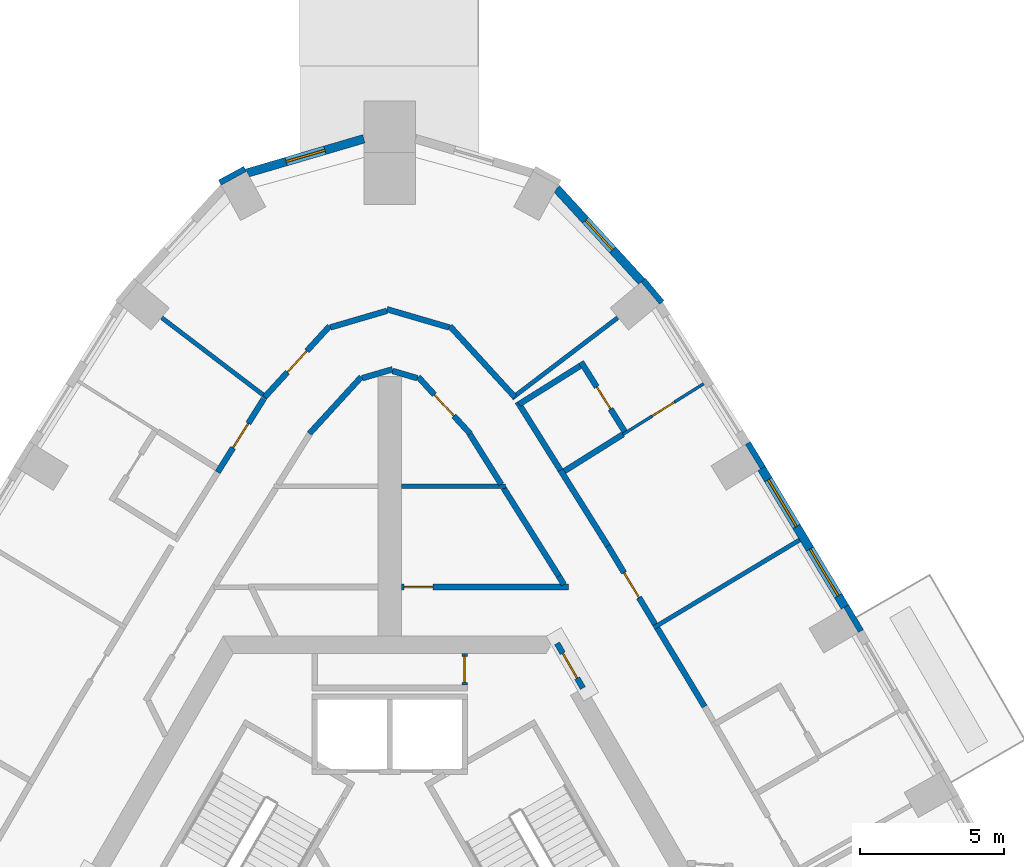
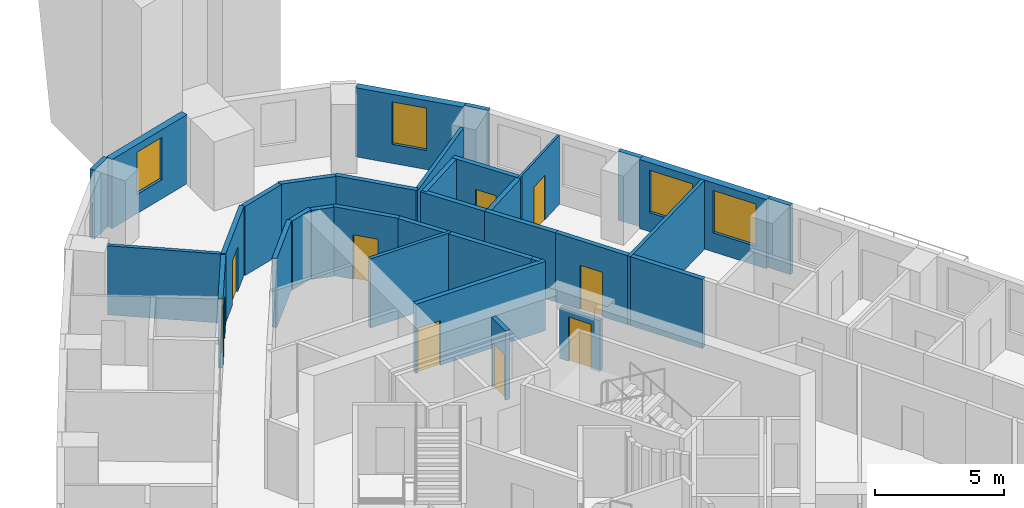
# One storey, part 9 of 13: 34 walls, 9 doors, 4 windows, 13 openings.
"""IFC4 building model written with IfcOpenShell, lengths in metres."""

from ifc_helpers import new_model, si_unit, direction, frame, frame_2d, origin, place, context, subcontext, project, spatial, rectangle, extrude, material, layer, layer_set, type_object, element, fill, save


model = new_model("IFC4")

# Units and contexts
model_context = context("Model", 3, precision=1e-05, world=origin(), true_north=direction((0.0, 1.0)))
body_context = subcontext(model_context, "Body", "Model", "MODEL_VIEW")
ifc_project = project(units=[si_unit("LENGTHUNIT", "METRE"), si_unit("AREAUNIT", "SQUARE_METRE"), si_unit("VOLUMEUNIT", "CUBIC_METRE"), si_unit("PLANEANGLEUNIT", "RADIAN"), si_unit("MASSUNIT", "GRAM", prefix="KILO")], contexts=[model_context])

# Site, building, storey
site_placement = place(None, origin())
site = spatial("IfcSite", under=ifc_project, at=site_placement, CompositionType="ELEMENT")
building_placement = place(site_placement, origin())
building = spatial("IfcBuilding", under=site, at=building_placement, Name="Entoto Arch Interchange Tower", CompositionType="ELEMENT")
storey_placement = place(building_placement, frame((0.0, 0.0, 263.0)))
storey = spatial("IfcBuildingStorey", under=building, at=storey_placement, Name="L60", CompositionType="ELEMENT", Elevation=263.0)

# Wall, opening, door
ifc_material_1 = material(Name="Reinforced concrete C40/50", Category="concrete")
ifc_layer_1 = layer(ifc_material_1, 0.199951171875)
ifc_layer_set_1 = layer_set([ifc_layer_1], Name="Reinforced concrete C40/50")
wall_type_1 = type_object("IfcWallType", Name="CORE GAP INFILL WALL", PredefinedType="PARTITIONING", material=ifc_layer_set_1)
wall_1_placement = place(storey_placement, frame((6.698974609375, 10.697021484375, 0.0), z_axis=(0.0, 0.0, 1.0), x_axis=(-0.499914839587, 0.866074565589, 0.0)))
wall_1 = element("IfcWall", 1, at=wall_1_placement, inside=storey, type_object=wall_type_1, Name="wall:L60:gap2", PredefinedType="PARTITIONING", context=body_context, shape_type="SweptSolid", body=[
    extrude(rectangle(XDim=1.794189453125, YDim=0.199951171875, at=frame_2d((0.89697265625, 0.0))), origin(), (0.0, 0.0, 1.0), 2.39990234375),
])
opening_1_placement = place(wall_1_placement, frame((0.39697265625, 0.0, 0.0)))
opening_1 = element("IfcOpeningElement", 2, at=opening_1_placement, cuts=wall_1, Name="Opening L60-D92", PredefinedType="OPENING", context=body_context, shape_type="SweptSolid", body=[
    extrude(rectangle(XDim=1.0, YDim=2.10009765625, at=frame_2d((0.5, 1.050048828125))), frame((0.0, 0.10986328125, 0.0), z_axis=(0.0, -1.0, 0.0), x_axis=(1.0, 0.0, 0.0)), (0.0, 0.0, 1.0), 0.219970703125),
])
ifc_material_2 = material(Name="Fire-rated Steel S235 door and frame", Category="steel")
door_type_1 = type_object("IfcDoorType", Name="DOOR FD-10 1000x2100", OperationType="SINGLE_SWING_LEFT", PredefinedType="DOOR", material=ifc_material_2)
door_1_placement = place(opening_1_placement, origin())
door_1 = element("IfcDoor", 3, at=door_1_placement, inside=storey, type_object=door_type_1, Name="door:L60:gap2", OperationType="SINGLE_SWING_LEFT", OverallHeight=2.10009765625, OverallWidth=1.0, PredefinedType="DOOR", context=body_context, shape_type="SweptSolid", body=[
    extrude(rectangle(XDim=1.0, YDim=2.10009765625, at=frame_2d((0.5, 1.050048828125))), frame((0.0, 0.02490234375, 0.0), z_axis=(0.0, -1.0, 0.0), x_axis=(1.0, 0.0, 0.0)), (0.0, 0.0, 1.0), 0.050048828125),
])
fill(opening_1, door_1)

ifc_material_3 = material(Name="Gypsum board partition on steel studs", Category="steel")
ifc_layer_2 = layer(ifc_material_3, 0.10009765625)
ifc_layer_set_2 = layer_set([ifc_layer_2], Name="Gypsum board partition on steel studs")
wall_type_2 = type_object("IfcWallType", Name="PARTITION 100", PredefinedType="PARTITIONING", material=ifc_layer_set_2)
wall_2_placement = place(storey_placement, frame((8.091064453125, 19.4990234375, 0.0), z_axis=(0.0, 0.0, 1.0), x_axis=(0.847249319986, 0.53119543464, 0.0)))
wall_2 = element("IfcWall", 4, at=wall_2_placement, inside=storey, type_object=wall_type_2, Name="wall:L60:p123", PredefinedType="PARTITIONING", context=body_context, shape_type="SweptSolid", body=[
    extrude(rectangle(XDim=3.300048828125, YDim=0.10009765625, at=frame_2d((1.64990234375, 0.0))), origin(), (0.0, 0.0, 1.0), 3.260009765625),
])
opening_2_placement = place(wall_2_placement, frame((1.199951171875, 0.0, 0.0)))
opening_2 = element("IfcOpeningElement", 5, at=opening_2_placement, cuts=wall_2, Name="Opening L60-D08", PredefinedType="OPENING", context=body_context, shape_type="SweptSolid", body=[
    extrude(rectangle(XDim=0.89990234375, YDim=2.10009765625, at=frame_2d((0.449951171875, 1.050048828125))), frame((0.0, 0.06005859375, 0.0), z_axis=(0.0, -1.0, 0.0), x_axis=(1.0, 0.0, 0.0)), (0.0, 0.0, 1.0), 0.1201171875),
])
ifc_material_4 = material(Name="Timber door leaf in Steel S235 frame", Category="steel")
door_type_2 = type_object("IfcDoorType", Name="DOOR DS-09 900x2100", OperationType="SINGLE_SWING_LEFT", PredefinedType="DOOR", material=ifc_material_4)
door_2_placement = place(opening_2_placement, origin())
door_2 = element("IfcDoor", 6, at=door_2_placement, inside=storey, type_object=door_type_2, Name="door:L60:08", OperationType="SINGLE_SWING_LEFT", OverallHeight=2.10009765625, OverallWidth=0.89990234375, PredefinedType="DOOR", context=body_context, shape_type="SweptSolid", body=[
    extrude(rectangle(XDim=0.89990234375, YDim=2.10009765625, at=frame_2d((0.449951171875, 1.050048828125))), frame((0.0, 0.02490234375, 0.0), z_axis=(0.0, -1.0, 0.0), x_axis=(1.0, 0.0, 0.0)), (0.0, 0.0, 1.0), 0.050048828125),
])
fill(opening_2, door_2)

# Walls
ifc_layer_3 = layer(ifc_material_3, 0.14990234375)
ifc_layer_set_3 = layer_set([ifc_layer_3], Name="Gypsum board partition on steel studs")
wall_type_3 = type_object("IfcWallType", Name="PARTITION 150", PredefinedType="PARTITIONING", material=ifc_layer_set_3)
wall_3_placement = place(storey_placement, frame((9.156982421875, 12.7919921875, 0.0), z_axis=(0.0, 0.0, 1.0), x_axis=(0.856933793276, 0.515426497129, 0.0)))
element("IfcWall", 7, at=wall_3_placement, inside=storey, type_object=wall_type_3, Name="wall:L60:p122", PredefinedType="PARTITIONING", context=body_context, shape_type="SweptSolid", body=[
    extrude(rectangle(XDim=5.89990234375, YDim=0.14990234375, at=frame_2d((2.949951171875, 0.0))), origin(), (0.0, 0.0, 1.0), 3.260009765625),
])
for number, where, z_axis, x_axis, name in (
    (8, (4.238037109375, 20.7509765625, 0.0), (0.0, 0.0, 1.0), (0.795806473987, 0.605551034976, 0.0), "wall:L60:p127"),
    (9, (-4.238037109375, 20.7509765625, 0.0), (0.0, 0.0, 1.0), (-0.795806473987, 0.605551034976, 0.0), "wall:L60:p128"),
):
    element("IfcWall", number, at=place(storey_placement, frame(where, z_axis=z_axis, x_axis=x_axis)), inside=storey, type_object=wall_type_3, Name=name, PredefinedType="PARTITIONING", context=body_context, shape_type="SweptSolid", body=[
        extrude(rectangle(XDim=4.604248046875, YDim=0.14990234375, at=frame_2d((2.30224609375, 0.0))), origin(), (0.0, 0.0, 1.0), 3.260009765625),
    ])
wall_4_placement = place(storey_placement, frame((0.39990234375, 17.699951171875, 0.0), z_axis=(0.0, 0.0, 1.0), x_axis=(1.0, 0.0, 0.0)))
element("IfcWall", 10, at=wall_4_placement, inside=storey, type_object=wall_type_3, Name="wall:L60:p104", PredefinedType="PARTITIONING", context=body_context, shape_type="SweptSolid", body=[
    extrude(rectangle(XDim=3.608154296875, YDim=0.14990234375, at=frame_2d((1.80419921875, 0.0))), origin(), (0.0, 0.0, 1.0), 3.260009765625),
])
ifc_layer_4 = layer(ifc_material_3, 0.199951171875)
ifc_layer_set_4 = layer_set([ifc_layer_4], Name="Gypsum board partition on steel studs")
wall_type_4 = type_object("IfcWallType", Name="PARTITION 200", PredefinedType="PARTITIONING", material=ifc_layer_set_4)
wall_5_placement = place(storey_placement, frame((6.041015625, 14.285888671875, 0.0), z_axis=(0.0, 0.0, 1.0), x_axis=(-0.513873647624, 0.857865883619, 0.0)))
element("IfcWall", 11, at=wall_5_placement, inside=storey, type_object=wall_type_4, Name="wall:L60:p010", PredefinedType="PARTITIONING", context=body_context, shape_type="SweptSolid", body=[
    extrude(rectangle(XDim=0.346435546875, YDim=0.199951171875, at=frame_2d((0.17333984375, 0.0))), origin(), (0.0, 0.0, 1.0), 3.260009765625),
])
wall_6_placement = place(storey_placement, frame((5.863037109375, 14.5830078125, 0.0), z_axis=(0.0, 0.0, 1.0), x_axis=(-0.531380509042, 0.847133256702, 0.0)))
element("IfcWall", 12, at=wall_6_placement, inside=storey, type_object=wall_type_4, Name="wall:L60:p011", PredefinedType="PARTITIONING", context=body_context, shape_type="SweptSolid", body=[
    extrude(rectangle(XDim=3.60400390625, YDim=0.199951171875, at=frame_2d((1.802001953125, 0.0))), origin(), (0.0, 0.0, 1.0), 3.260009765625),
])
wall_7_placement = place(storey_placement, frame((3.867919921875, 17.763916015625, 0.0), z_axis=(0.0, 0.0, 1.0), x_axis=(-0.531062870102, 0.847332418829, 0.0)))
element("IfcWall", 13, at=wall_7_placement, inside=storey, type_object=wall_type_4, Name="wall:L60:p014", PredefinedType="PARTITIONING", context=body_context, shape_type="SweptSolid", body=[
    extrude(rectangle(XDim=2.061767578125, YDim=0.199951171875, at=frame_2d((1.03076171875, 0.0))), origin(), (0.0, 0.0, 1.0), 3.260009765625),
])

# Wall, opening, door
wall_8_placement = place(storey_placement, frame((2.787109375, 19.52197265625, 0.0), z_axis=(0.0, 0.0, 1.0), x_axis=(-0.675132105979, 0.73769684795, 0.0)))
wall_8 = element("IfcWall", 14, at=wall_8_placement, inside=storey, type_object=wall_type_4, Name="wall:L60:p015", PredefinedType="PARTITIONING", context=body_context, shape_type="SweptSolid", body=[
    extrude(rectangle(XDim=2.669189453125, YDim=0.199951171875, at=frame_2d((1.33447265625, 0.0))), origin(), (0.0, 0.0, 1.0), 3.260009765625),
])
opening_3_placement = place(wall_8_placement, frame((0.8349609375, 0.0, 0.0)))
opening_3 = element("IfcOpeningElement", 15, at=opening_3_placement, cuts=wall_8, Name="Opening L60-D28", PredefinedType="OPENING", context=body_context, shape_type="SweptSolid", body=[
    extrude(rectangle(XDim=1.0, YDim=2.10009765625, at=frame_2d((0.5, 1.050048828125))), frame((0.0, 0.10986328125, 0.0), z_axis=(0.0, -1.0, 0.0), x_axis=(1.0, 0.0, 0.0)), (0.0, 0.0, 1.0), 0.219970703125),
])
door_type_3 = type_object("IfcDoorType", Name="DOOR DS-10 1000x2100", OperationType="SINGLE_SWING_LEFT", PredefinedType="DOOR", material=ifc_material_4)
door_3_placement = place(opening_3_placement, origin())
door_3 = element("IfcDoor", 16, at=door_3_placement, inside=storey, type_object=door_type_3, Name="door:L60:28", OperationType="SINGLE_SWING_LEFT", OverallHeight=2.10009765625, OverallWidth=1.0, PredefinedType="DOOR", context=body_context, shape_type="SweptSolid", body=[
    extrude(rectangle(XDim=1.0, YDim=2.10009765625, at=frame_2d((0.5, 1.050048828125))), frame((0.0, 0.02490234375, 0.0), z_axis=(0.0, -1.0, 0.0), x_axis=(1.0, 0.0, 0.0)), (0.0, 0.0, 1.0), 0.050048828125),
])
fill(opening_3, door_3)

# Walls
wall_9_placement = place(storey_placement, frame((0.95703125, 21.446044921875, 0.0), z_axis=(0.0, 0.0, 1.0), x_axis=(-0.959758875404, 0.28082539252, 0.0)))
element("IfcWall", 17, at=wall_9_placement, inside=storey, type_object=wall_type_4, Name="wall:L60:p016", PredefinedType="PARTITIONING", context=body_context, shape_type="SweptSolid", body=[
    extrude(rectangle(XDim=0.897216796875, YDim=0.199951171875, at=frame_2d((0.44873046875, 0.0))), origin(), (0.0, 0.0, 1.0), 3.260009765625),
])
wall_10_placement = place(storey_placement, frame((0.095947265625, 21.75390625, 0.0), z_axis=(0.0, 0.0, 1.0), x_axis=(-0.959817848073, -0.280623766849, 0.0)))
element("IfcWall", 18, at=wall_10_placement, inside=storey, type_object=wall_type_4, Name="wall:L60:p017", PredefinedType="PARTITIONING", context=body_context, shape_type="SweptSolid", body=[
    extrude(rectangle(XDim=1.09716796875, YDim=0.199951171875, at=frame_2d((0.548583984375, 0.0))), origin(), (0.0, 0.0, 1.0), 3.260009765625),
])
wall_11_placement = place(storey_placement, frame((-0.985107421875, 21.490966796875, 0.0), z_axis=(0.0, 0.0, 1.0), x_axis=(-0.675132105979, -0.73769684795, 0.0)))
element("IfcWall", 19, at=wall_11_placement, inside=storey, type_object=wall_type_4, Name="wall:L60:p018", PredefinedType="PARTITIONING", context=body_context, shape_type="SweptSolid", body=[
    extrude(rectangle(XDim=2.669189453125, YDim=0.199951171875, at=frame_2d((1.33447265625, 0.0))), origin(), (0.0, 0.0, 1.0), 3.260009765625),
])
wall_12_placement = place(storey_placement, frame((9.281005859375, 12.779052734375, 0.0), z_axis=(0.0, 0.0, 1.0), x_axis=(0.515568955032, -0.856848091908, 0.0)))
element("IfcWall", 20, at=wall_12_placement, inside=storey, type_object=wall_type_4, Name="wall:L60:p047", PredefinedType="PARTITIONING", context=body_context, shape_type="SweptSolid", body=[
    extrude(rectangle(XDim=3.177001953125, YDim=0.199951171875, at=frame_2d((1.58837890625, 0.0))), origin(), (0.0, 0.0, 1.0), 3.260009765625),
])
wall_13_placement = place(storey_placement, frame((5.919921875, 18.256103515625, 0.0), z_axis=(0.0, 0.0, 1.0), x_axis=(0.531152062518, -0.84727651123, 0.0)))
element("IfcWall", 21, at=wall_13_placement, inside=storey, type_object=wall_type_4, Name="wall:L60:p050", PredefinedType="PARTITIONING", context=body_context, shape_type="SweptSolid", body=[
    extrude(rectangle(XDim=3.100830078125, YDim=0.199951171875, at=frame_2d((1.55029296875, 0.0))), origin(), (0.0, 0.0, 1.0), 3.260009765625),
])

# Wall, opening, door
wall_14_placement = place(storey_placement, frame((7.56689453125, 15.62890625, 0.0), z_axis=(0.0, 0.0, 1.0), x_axis=(0.51556943596, -0.856847802532, 0.0)))
wall_14 = element("IfcWall", 22, at=wall_14_placement, inside=storey, type_object=wall_type_4, Name="wall:L60:p051", PredefinedType="PARTITIONING", context=body_context, shape_type="SweptSolid", body=[
    extrude(rectangle(XDim=3.175537109375, YDim=0.199951171875, at=frame_2d((1.587890625, 0.0))), origin(), (0.0, 0.0, 1.0), 3.260009765625),
])
opening_4_placement = place(wall_14_placement, frame((1.087890625, 0.0, 0.0)))
opening_4 = element("IfcOpeningElement", 23, at=opening_4_placement, cuts=wall_14, Name="Opening L60-D07", PredefinedType="OPENING", context=body_context, shape_type="SweptSolid", body=[
    extrude(rectangle(XDim=1.0, YDim=2.10009765625, at=frame_2d((0.5, 1.050048828125))), frame((0.0, 0.10986328125, 0.0), z_axis=(0.0, -1.0, 0.0), x_axis=(1.0, 0.0, 0.0)), (0.0, 0.0, 1.0), 0.219970703125),
])
door_4_placement = place(opening_4_placement, origin())
door_4 = element("IfcDoor", 24, at=door_4_placement, inside=storey, type_object=door_type_1, Name="door:L60:07", OperationType="SINGLE_SWING_RIGHT", OverallHeight=2.10009765625, OverallWidth=1.0, PredefinedType="DOOR", context=body_context, shape_type="SweptSolid", body=[
    extrude(rectangle(XDim=1.0, YDim=2.10009765625, at=frame_2d((0.5, 1.050048828125))), frame((0.0, 0.02490234375, 0.0), z_axis=(0.0, -1.0, 0.0), x_axis=(1.0, 0.0, 0.0)), (0.0, 0.0, 1.0), 0.050048828125),
])
fill(opening_4, door_4)

# Wall
wall_15_placement = place(storey_placement, frame((4.43310546875, 20.6279296875, 0.0), z_axis=(0.0, 0.0, 1.0), x_axis=(0.531135189756, -0.84728708842, 0.0)))
element("IfcWall", 25, at=wall_15_placement, inside=storey, type_object=wall_type_4, Name="wall:L60:p052", PredefinedType="PARTITIONING", context=body_context, shape_type="SweptSolid", body=[
    extrude(rectangle(XDim=2.79931640625, YDim=0.199951171875, at=frame_2d((1.399658203125, 0.0))), origin(), (0.0, 0.0, 1.0), 3.260009765625),
])

# Wall, opening, door
wall_16_placement = place(storey_placement, frame((-4.3349609375, 20.79296875, 0.0), z_axis=(0.0, 0.0, 1.0), x_axis=(0.675074517272, 0.737749548377, 0.0)))
wall_16 = element("IfcWall", 26, at=wall_16_placement, inside=storey, type_object=wall_type_4, Name="wall:L60:p053", PredefinedType="PARTITIONING", context=body_context, shape_type="SweptSolid", body=[
    extrude(rectangle(XDim=3.33447265625, YDim=0.199951171875, at=frame_2d((1.667236328125, 0.0))), origin(), (0.0, 0.0, 1.0), 3.260009765625),
])
opening_5_placement = place(wall_16_placement, frame((1.1669921875, 0.0, 0.0)))
opening_5 = element("IfcOpeningElement", 27, at=opening_5_placement, cuts=wall_16, Name="Opening L60-D21", PredefinedType="OPENING", context=body_context, shape_type="SweptSolid", body=[
    extrude(rectangle(XDim=1.0, YDim=2.10009765625, at=frame_2d((0.5, 1.050048828125))), frame((0.0, 0.10986328125, 0.0), z_axis=(0.0, -1.0, 0.0), x_axis=(1.0, 0.0, 0.0)), (0.0, 0.0, 1.0), 0.219970703125),
])
door_5_placement = place(opening_5_placement, origin())
door_5 = element("IfcDoor", 28, at=door_5_placement, inside=storey, type_object=door_type_3, Name="door:L60:21", OperationType="SINGLE_SWING_LEFT", OverallHeight=2.10009765625, OverallWidth=1.0, PredefinedType="DOOR", context=body_context, shape_type="SweptSolid", body=[
    extrude(rectangle(XDim=1.0, YDim=2.10009765625, at=frame_2d((0.5, 1.050048828125))), frame((0.0, 0.02490234375, 0.0), z_axis=(0.0, -1.0, 0.0), x_axis=(1.0, 0.0, 0.0)), (0.0, 0.0, 1.0), 0.050048828125),
])
fill(opening_5, door_5)

# Walls
wall_17_placement = place(storey_placement, frame((-2.054931640625, 23.2080078125, 0.0), z_axis=(0.0, 0.0, 1.0), x_axis=(0.959656367963, 0.281175488669, 0.0)))
element("IfcWall", 29, at=wall_17_placement, inside=storey, type_object=wall_type_4, Name="wall:L60:p054", PredefinedType="PARTITIONING", context=body_context, shape_type="SweptSolid", body=[
    extrude(rectangle(XDim=2.041259765625, YDim=0.199951171875, at=frame_2d((1.0205078125, 0.0))), origin(), (0.0, 0.0, 1.0), 3.260009765625),
])
wall_18_placement = place(storey_placement, frame((-0.095947265625, 23.837890625, 0.0), z_axis=(0.0, 0.0, 1.0), x_axis=(0.959694419707, -0.281045584886, 0.0)))
element("IfcWall", 30, at=wall_18_placement, inside=storey, type_object=wall_type_4, Name="wall:L60:p055", PredefinedType="PARTITIONING", context=body_context, shape_type="SweptSolid", body=[
    extrude(rectangle(XDim=2.2412109375, YDim=0.199951171875, at=frame_2d((1.12060546875, 0.0))), origin(), (0.0, 0.0, 1.0), 3.260009765625),
])
wall_19_placement = place(storey_placement, frame((2.083984375, 23.2529296875, 0.0), z_axis=(0.0, 0.0, 1.0), x_axis=(0.675074517272, -0.737749548377, 0.0)))
element("IfcWall", 31, at=wall_19_placement, inside=storey, type_object=wall_type_4, Name="wall:L60:p056", PredefinedType="PARTITIONING", context=body_context, shape_type="SweptSolid", body=[
    extrude(rectangle(XDim=3.33447265625, YDim=0.199951171875, at=frame_2d((1.667236328125, 0.0))), origin(), (0.0, 0.0, 1.0), 3.260009765625),
])

# Wall, opening, door
wall_20_placement = place(storey_placement, frame((-5.965087890625, 18.18505859375, 0.0), z_axis=(0.0, 0.0, 1.0), x_axis=(0.531256372055, 0.847211111324, 0.0)))
wall_20 = element("IfcWall", 32, at=wall_20_placement, inside=storey, type_object=wall_type_4, Name="wall:L60:p057", PredefinedType="PARTITIONING", context=body_context, shape_type="SweptSolid", body=[
    extrude(rectangle(XDim=3.00048828125, YDim=0.199951171875, at=frame_2d((1.500244140625, 0.0))), origin(), (0.0, 0.0, 1.0), 3.260009765625),
])
opening_6_placement = place(wall_20_placement, frame((1.0, 0.0, 0.0)))
opening_6 = element("IfcOpeningElement", 33, at=opening_6_placement, cuts=wall_20, Name="Opening L60-D10", PredefinedType="OPENING", context=body_context, shape_type="SweptSolid", body=[
    extrude(rectangle(XDim=1.0, YDim=2.10009765625, at=frame_2d((0.5, 1.050048828125))), frame((0.0, 0.10986328125, 0.0), z_axis=(0.0, -1.0, 0.0), x_axis=(1.0, 0.0, 0.0)), (0.0, 0.0, 1.0), 0.219970703125),
])
door_6_placement = place(opening_6_placement, origin())
door_6 = element("IfcDoor", 34, at=door_6_placement, inside=storey, type_object=door_type_1, Name="door:L60:10", OperationType="SINGLE_SWING_LEFT", OverallHeight=2.10009765625, OverallWidth=1.0, PredefinedType="DOOR", context=body_context, shape_type="SweptSolid", body=[
    extrude(rectangle(XDim=1.0, YDim=2.10009765625, at=frame_2d((0.5, 1.050048828125))), frame((0.0, 0.02490234375, 0.0), z_axis=(0.0, -1.0, 0.0), x_axis=(1.0, 0.0, 0.0)), (0.0, 0.0, 1.0), 0.050048828125),
])
fill(opening_6, door_6)

wall_21_placement = place(storey_placement, frame((2.60009765625, 11.89990234375, 0.0), z_axis=(0.0, 0.0, 1.0), x_axis=(0.0, -1.0, 0.0)))
wall_21 = element("IfcWall", 35, at=wall_21_placement, inside=storey, type_object=wall_type_4, Name="wall:L60:p073", PredefinedType="PARTITIONING", context=body_context, shape_type="SweptSolid", body=[
    extrude(rectangle(XDim=1.099853515625, YDim=0.199951171875, at=frame_2d((0.5498046875, 0.0))), origin(), (0.0, 0.0, 1.0), 3.260009765625),
])
opening_7_placement = place(wall_21_placement, frame((0.10009765625, 0.0, 0.0)))
opening_7 = element("IfcOpeningElement", 36, at=opening_7_placement, cuts=wall_21, Name="Opening L60-D37", PredefinedType="OPENING", context=body_context, shape_type="SweptSolid", body=[
    extrude(rectangle(XDim=0.89990234375, YDim=2.10009765625, at=frame_2d((0.449951171875, 1.050048828125))), frame((0.0, 0.10986328125, 0.0), z_axis=(0.0, -1.0, 0.0), x_axis=(1.0, 0.0, 0.0)), (0.0, 0.0, 1.0), 0.219970703125),
])
door_7_placement = place(opening_7_placement, origin())
door_7 = element("IfcDoor", 37, at=door_7_placement, inside=storey, type_object=door_type_2, Name="door:L60:37", OperationType="SINGLE_SWING_LEFT", OverallHeight=2.10009765625, OverallWidth=0.89990234375, PredefinedType="DOOR", context=body_context, shape_type="SweptSolid", body=[
    extrude(rectangle(XDim=0.89990234375, YDim=2.10009765625, at=frame_2d((0.449951171875, 1.050048828125))), frame((0.0, 0.02490234375, 0.0), z_axis=(0.0, -1.0, 0.0), x_axis=(1.0, 0.0, 0.0)), (0.0, 0.0, 1.0), 0.050048828125),
])
fill(opening_7, door_7)

# Wall
wall_22_placement = place(storey_placement, frame((6.05810546875, 18.22412109375, 0.0), z_axis=(0.0, 0.0, 1.0), x_axis=(0.847191403331, 0.531287799711, 0.0)))
element("IfcWall", 38, at=wall_22_placement, inside=storey, type_object=wall_type_4, Name="wall:L60:p124", PredefinedType="PARTITIONING", context=body_context, shape_type="SweptSolid", body=[
    extrude(rectangle(XDim=2.399658203125, YDim=0.199951171875, at=frame_2d((1.19970703125, 0.0))), origin(), (0.0, 0.0, 1.0), 3.260009765625),
])

# Wall, opening, door
wall_23_placement = place(storey_placement, frame((8.202880859375, 19.510009765625, 0.0), z_axis=(0.0, 0.0, 1.0), x_axis=(-0.531218552952, 0.847234825181, 0.0)))
wall_23 = element("IfcWall", 39, at=wall_23_placement, inside=storey, type_object=wall_type_4, Name="wall:L60:p125", PredefinedType="PARTITIONING", context=body_context, shape_type="SweptSolid", body=[
    extrude(rectangle(XDim=2.94970703125, YDim=0.199951171875, at=frame_2d((1.474853515625, 0.0))), origin(), (0.0, 0.0, 1.0), 3.260009765625),
])
opening_8_placement = place(wall_23_placement, frame((1.02490234375, 0.0, 0.0)))
opening_8 = element("IfcOpeningElement", 40, at=opening_8_placement, cuts=wall_23, Name="Opening L60-D09", PredefinedType="OPENING", context=body_context, shape_type="SweptSolid", body=[
    extrude(rectangle(XDim=0.89990234375, YDim=2.10009765625, at=frame_2d((0.449951171875, 1.050048828125))), frame((0.0, 0.10986328125, 0.0), z_axis=(0.0, -1.0, 0.0), x_axis=(1.0, 0.0, 0.0)), (0.0, 0.0, 1.0), 0.219970703125),
])
door_8_placement = place(opening_8_placement, origin())
door_8 = element("IfcDoor", 41, at=door_8_placement, inside=storey, type_object=door_type_2, Name="door:L60:09", OperationType="SINGLE_SWING_RIGHT", OverallHeight=2.10009765625, OverallWidth=0.89990234375, PredefinedType="DOOR", context=body_context, shape_type="SweptSolid", body=[
    extrude(rectangle(XDim=0.89990234375, YDim=2.10009765625, at=frame_2d((0.449951171875, 1.050048828125))), frame((0.0, 0.02490234375, 0.0), z_axis=(0.0, -1.0, 0.0), x_axis=(1.0, 0.0, 0.0)), (0.0, 0.0, 1.0), 0.050048828125),
])
fill(opening_8, door_8)

# Wall
wall_24_placement = place(storey_placement, frame((6.60400390625, 21.87109375, 0.0), z_axis=(0.0, 0.0, 1.0), x_axis=(-0.847377617561, -0.530990746866, 0.0)))
element("IfcWall", 42, at=wall_24_placement, inside=storey, type_object=wall_type_4, Name="wall:L60:p126", PredefinedType="PARTITIONING", context=body_context, shape_type="SweptSolid", body=[
    extrude(rectangle(XDim=2.499267578125, YDim=0.199951171875, at=frame_2d((1.24951171875, 0.0))), origin(), (0.0, 0.0, 1.0), 3.260009765625),
])

# Wall, opening, door
wall_25_placement = place(storey_placement, frame((0.39990234375, 14.199951171875, 0.0), z_axis=(0.0, 0.0, 1.0), x_axis=(1.0, 0.0, 0.0)))
wall_25 = element("IfcWall", 43, at=wall_25_placement, inside=storey, type_object=wall_type_4, Name="wall:L60:p009", PredefinedType="PARTITIONING", context=body_context, shape_type="SweptSolid", body=[
    extrude(rectangle(XDim=5.793212890625, YDim=0.199951171875, at=frame_2d((2.896484375, 0.0))), origin(), (0.0, 0.0, 1.0), 3.260009765625),
])
opening_9_placement = place(wall_25_placement, frame((0.094970703125, 0.0, 0.0)))
opening_9 = element("IfcOpeningElement", 44, at=opening_9_placement, cuts=wall_25, Name="Opening L60-D27", PredefinedType="OPENING", context=body_context, shape_type="SweptSolid", body=[
    extrude(rectangle(XDim=1.0, YDim=2.10009765625, at=frame_2d((0.5, 1.050048828125))), frame((0.0, 0.10986328125, 0.0), z_axis=(0.0, -1.0, 0.0), x_axis=(1.0, 0.0, 0.0)), (0.0, 0.0, 1.0), 0.219970703125),
])
door_9_placement = place(opening_9_placement, origin())
door_9 = element("IfcDoor", 45, at=door_9_placement, inside=storey, type_object=door_type_3, Name="door:L60:27", OperationType="SINGLE_SWING_LEFT", OverallHeight=2.10009765625, OverallWidth=1.0, PredefinedType="DOOR", context=body_context, shape_type="SweptSolid", body=[
    extrude(rectangle(XDim=1.0, YDim=2.10009765625, at=frame_2d((0.5, 1.050048828125))), frame((0.0, 0.02490234375, 0.0), z_axis=(0.0, -1.0, 0.0), x_axis=(1.0, 0.0, 0.0)), (0.0, 0.0, 1.0), 0.050048828125),
])
fill(opening_9, door_9)

# Wall, openings, windows
ifc_material_5 = material(Name="Welded tuff (ignimbrite) cladding, warm buff", Category="masonry")
ifc_layer_5 = layer(ifc_material_5, 0.300048828125)
ifc_layer_set_5 = layer_set([ifc_layer_5], Name="Welded tuff (ignimbrite) cladding, warm buff")
wall_type_5 = type_object("IfcWallType", Name="STONE INFILL WALL 300", PredefinedType="STANDARD", material=ifc_layer_set_5)
wall_26_placement = place(storey_placement, frame((15.7880859375, 13.506103515625, 0.0), z_axis=(0.0, 0.0, 1.0), x_axis=(-0.515435742129, 0.856928232547, 0.0)))
wall_26 = element("IfcWall", 46, at=wall_26_placement, inside=storey, type_object=wall_type_5, Name="Facade wall NE-04 L60", PredefinedType="STANDARD", context=body_context, shape_type="SweptSolid", body=[
    extrude(rectangle(XDim=5.61279296875, YDim=0.300048828125, at=frame_2d((2.806396484375, 0.0))), origin(), (0.0, 0.0, 1.0), 3.260009765625),
])
opening_10_placement = place(wall_26_placement, frame((0.452880859375, 0.0, 0.89990234375)))
opening_10 = element("IfcOpeningElement", 47, at=opening_10_placement, cuts=wall_26, Name="Opening WH-C", PredefinedType="OPENING", context=body_context, shape_type="SweptSolid", body=[
    extrude(rectangle(XDim=1.89990234375, YDim=2.0, at=frame_2d((0.949951171875, 1.0))), frame((0.0, 0.16015625, 0.0), z_axis=(0.0, -1.0, 0.0), x_axis=(1.0, 0.0, 0.0)), (0.0, 0.0, 1.0), 0.320068359375),
])
opening_11_placement = place(wall_26_placement, frame((3.260009765625, 0.0, 0.89990234375)))
opening_11 = element("IfcOpeningElement", 48, at=opening_11_placement, cuts=wall_26, Name="Opening WH-C", PredefinedType="OPENING", context=body_context, shape_type="SweptSolid", body=[
    extrude(rectangle(XDim=1.89990234375, YDim=2.0, at=frame_2d((0.949951171875, 1.0))), frame((0.0, 0.16015625, 0.0), z_axis=(0.0, -1.0, 0.0), x_axis=(1.0, 0.0, 0.0)), (0.0, 0.0, 1.0), 0.320068359375),
])
ifc_material_6 = material(Name="Clear glass, low-e double glazed", Category="glass")
window_type_1 = type_object("IfcWindowType", Name="WINDOW WH-C 1900x2000", PartitioningType="DOUBLE_PANEL_VERTICAL", PredefinedType="WINDOW", material=ifc_material_6)
window_1_placement = place(opening_10_placement, origin())
window_1 = element("IfcWindow", 49, at=window_1_placement, inside=storey, type_object=window_type_1, Name="Window WH-C NE-04 L60", OverallHeight=2.0, OverallWidth=1.89990234375, PartitioningType="SINGLE_PANEL", PredefinedType="WINDOW", context=body_context, shape_type="SweptSolid", body=[
    extrude(rectangle(XDim=1.89990234375, YDim=2.0, at=frame_2d((0.949951171875, 1.0))), frame((0.0, 0.030029296875, 0.0), z_axis=(0.0, -1.0, 0.0), x_axis=(1.0, 0.0, 0.0)), (0.0, 0.0, 1.0), 0.06005859375),
])
fill(opening_10, window_1)
window_2_placement = place(opening_11_placement, origin())
window_2 = element("IfcWindow", 50, at=window_2_placement, inside=storey, type_object=window_type_1, Name="Window WH-C NE-04 L60", OverallHeight=2.0, OverallWidth=1.89990234375, PartitioningType="SINGLE_PANEL", PredefinedType="WINDOW", context=body_context, shape_type="SweptSolid", body=[
    extrude(rectangle(XDim=1.89990234375, YDim=2.0, at=frame_2d((0.949951171875, 1.0))), frame((0.0, 0.030029296875, 0.0), z_axis=(0.0, -1.0, 0.0), x_axis=(1.0, 0.0, 0.0)), (0.0, 0.0, 1.0), 0.06005859375),
])
fill(opening_11, window_2)

# Wall, opening, window
wall_27_placement = place(storey_placement, frame((8.739013671875, 24.7939453125, 0.0), z_axis=(0.0, 0.0, 1.0), x_axis=(-0.675143863554, 0.737686087374, 0.0)))
wall_27 = element("IfcWall", 51, at=wall_27_placement, inside=storey, type_object=wall_type_5, Name="Facade wall N-01 L60", PredefinedType="STANDARD", context=body_context, shape_type="SweptSolid", body=[
    extrude(rectangle(XDim=4.3798828125, YDim=0.300048828125, at=frame_2d((2.18994140625, 0.0))), origin(), (0.0, 0.0, 1.0), 3.260009765625),
])
opening_12_placement = place(wall_27_placement, frame((1.489990234375, 0.0, 0.89990234375)))
opening_12 = element("IfcOpeningElement", 52, at=opening_12_placement, cuts=wall_27, Name="Opening WH-B", PredefinedType="OPENING", context=body_context, shape_type="SweptSolid", body=[
    extrude(rectangle(XDim=1.39990234375, YDim=2.0, at=frame_2d((0.699951171875, 1.0))), frame((0.0, 0.16015625, 0.0), z_axis=(0.0, -1.0, 0.0), x_axis=(1.0, 0.0, 0.0)), (0.0, 0.0, 1.0), 0.320068359375),
])
window_type_2 = type_object("IfcWindowType", Name="WINDOW WH-B 1400x2000", PartitioningType="DOUBLE_PANEL_VERTICAL", PredefinedType="WINDOW", material=ifc_material_6)
window_3_placement = place(opening_12_placement, origin())
window_3 = element("IfcWindow", 53, at=window_3_placement, inside=storey, type_object=window_type_2, Name="Window WH-B N-01 L60", OverallHeight=2.0, OverallWidth=1.39990234375, PartitioningType="SINGLE_PANEL", PredefinedType="WINDOW", context=body_context, shape_type="SweptSolid", body=[
    extrude(rectangle(XDim=1.39990234375, YDim=2.0, at=frame_2d((0.699951171875, 1.0))), frame((0.0, 0.030029296875, 0.0), z_axis=(0.0, -1.0, 0.0), x_axis=(1.0, 0.0, 0.0)), (0.0, 0.0, 1.0), 0.06005859375),
])
fill(opening_12, window_3)

wall_28_placement = place(storey_placement, frame((-0.89892578125, 29.7470703125, 0.0), z_axis=(0.0, 0.0, 1.0), x_axis=(-0.959632861734, -0.281255703373, 0.0)))
wall_28 = element("IfcWall", 54, at=wall_28_placement, inside=storey, type_object=wall_type_5, Name="Facade wall N-03 L60", PredefinedType="STANDARD", context=body_context, shape_type="SweptSolid", body=[
    extrude(rectangle(XDim=4.2099609375, YDim=0.300048828125, at=frame_2d((2.10498046875, 0.0))), origin(), (0.0, 0.0, 1.0), 3.260009765625),
])
opening_13_placement = place(wall_28_placement, frame((1.405029296875, 0.0, 0.89990234375)))
opening_13 = element("IfcOpeningElement", 55, at=opening_13_placement, cuts=wall_28, Name="Opening WH-B", PredefinedType="OPENING", context=body_context, shape_type="SweptSolid", body=[
    extrude(rectangle(XDim=1.39990234375, YDim=2.0, at=frame_2d((0.699951171875, 1.0))), frame((0.0, 0.16015625, 0.0), z_axis=(0.0, -1.0, 0.0), x_axis=(1.0, 0.0, 0.0)), (0.0, 0.0, 1.0), 0.320068359375),
])
window_4_placement = place(opening_13_placement, origin())
window_4 = element("IfcWindow", 56, at=window_4_placement, inside=storey, type_object=window_type_2, Name="Window WH-B N-03 L60", OverallHeight=2.0, OverallWidth=1.39990234375, PartitioningType="SINGLE_PANEL", PredefinedType="WINDOW", context=body_context, shape_type="SweptSolid", body=[
    extrude(rectangle(XDim=1.39990234375, YDim=2.0, at=frame_2d((0.699951171875, 1.0))), frame((0.0, 0.030029296875, 0.0), z_axis=(0.0, -1.0, 0.0), x_axis=(1.0, 0.0, 0.0)), (0.0, 0.0, 1.0), 0.06005859375),
])
fill(opening_13, window_4)

# Walls
ifc_layer_6 = layer(ifc_material_5, 0.199951171875)
ifc_layer_set_6 = layer_set([ifc_layer_6], Name="Welded tuff (ignimbrite) cladding, warm buff")
wall_type_6 = type_object("IfcWallType", Name="STONE PIER CLADDING 200", PredefinedType="STANDARD", material=ifc_layer_set_6)
wall_29_placement = place(storey_placement, frame((-5.014892578125, 28.705078125, 0.0), z_axis=(0.0, 0.0, 1.0), x_axis=(-0.878305841364, -0.478099204168, 0.0)))
element("IfcWall", 57, at=wall_29_placement, inside=storey, type_object=wall_type_6, Name="Stone pier N3 L60", PredefinedType="STANDARD", context=body_context, shape_type="SweptSolid", body=[
    extrude(rectangle(XDim=0.999755859375, YDim=0.199951171875, at=frame_2d((0.5, 0.0))), origin(), (0.0, 0.0, 1.0), 3.260009765625),
])
wall_30_placement = place(storey_placement, frame((16.342041015625, 12.674072265625, 0.0), z_axis=(0.0, 0.0, 1.0), x_axis=(-0.508268432768, 0.861198699634, 0.0)))
element("IfcWall", 58, at=wall_30_placement, inside=storey, type_object=wall_type_6, Name="Stone pier NE04 L60", PredefinedType="STANDARD", context=body_context, shape_type="SweptSolid", body=[
    extrude(rectangle(XDim=0.99951171875, YDim=0.199951171875, at=frame_2d((0.499755859375, 0.0))), origin(), (0.0, 0.0, 1.0), 3.260009765625),
])
wall_31_placement = place(storey_placement, frame((12.943115234375, 18.343994140625, 0.0), z_axis=(0.0, 0.0, 1.0), x_axis=(-0.525825307325, 0.850592585306, 0.0)))
element("IfcWall", 59, at=wall_31_placement, inside=storey, type_object=wall_type_6, Name="Stone pier NE05 L60", PredefinedType="STANDARD", context=body_context, shape_type="SweptSolid", body=[
    extrude(rectangle(XDim=1.00048828125, YDim=0.199951171875, at=frame_2d((0.500244140625, 0.0))), origin(), (0.0, 0.0, 1.0), 3.260009765625),
])
wall_32_placement = place(storey_placement, frame((9.43408203125, 24.072021484375, 0.0), z_axis=(0.0, 0.0, 1.0), x_axis=(-0.638117112481, 0.769939316283, 0.0)))
element("IfcWall", 60, at=wall_32_placement, inside=storey, type_object=wall_type_6, Name="Stone pier NE06 L60", PredefinedType="STANDARD", context=body_context, shape_type="SweptSolid", body=[
    extrude(rectangle(XDim=1.0, YDim=0.199951171875, at=frame_2d((0.5, 0.0))), origin(), (0.0, 0.0, 1.0), 3.260009765625),
])

save(model, "model.ifc")
